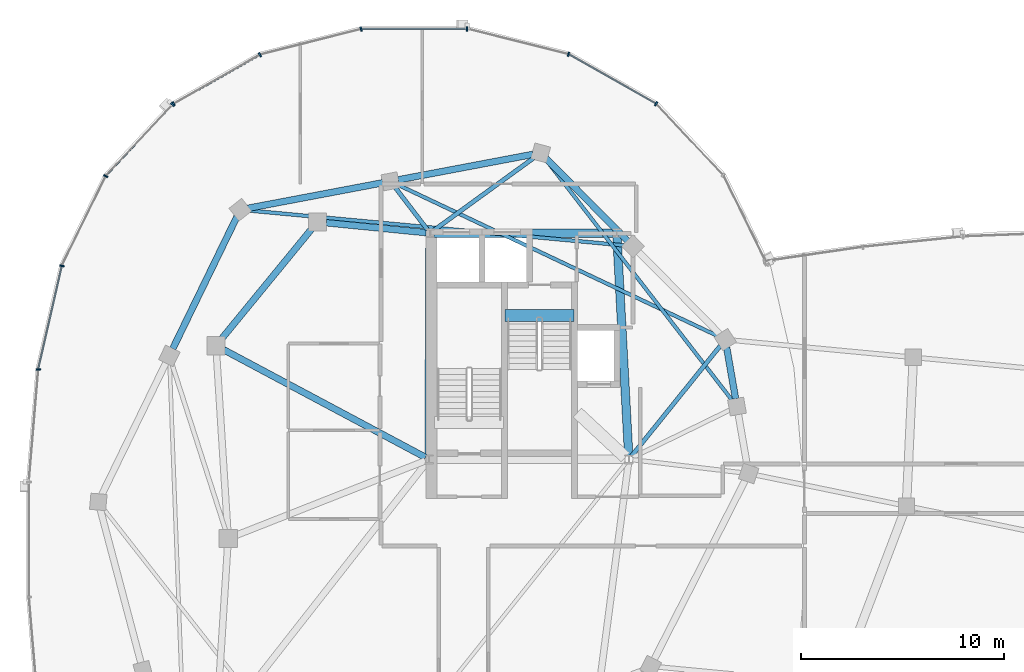
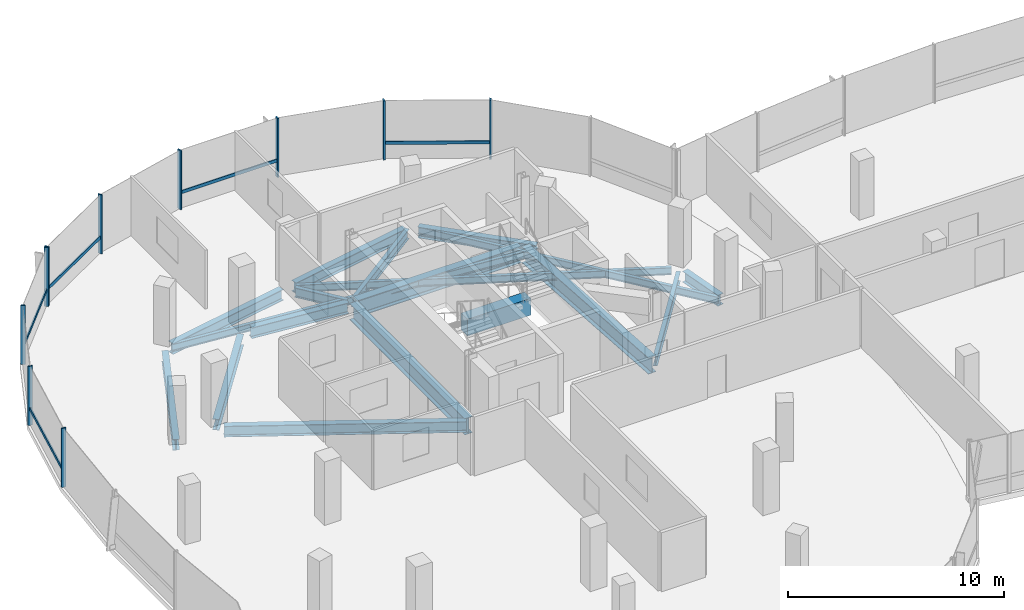
# One storey, part 6 of 25: 18 beams, 15 members, 2 elements without a shape of their own.
"""IFC4 building model written with IfcOpenShell, lengths in metres."""

import ifcopenshell
import ifcopenshell.guid

model = None  # the IFC model being written
_history = None  # IfcOwnerHistory: only IFC2X3 demands one
_inside = {}  # id of a spatial element -> (the spatial element, [elements in it])
_under = {}  # id of a project, library or spatial element -> (it, [spatial elements below it])
_declared = {}  # id of a project -> (the project, [libraries it declares])
_typed = {}  # id of a type object -> (the type object, [elements of that type])
_made_of = {}  # id of a material, layer set ... -> (it, [elements and type objects made of it])


def new_model(schema):
    """Start an empty IFC model of exactly this schema.

    Asked for "IFC4X3", IfcOpenShell would pick the latest addendum, in which some entities
    have other attributes; the version numbers below select the first issue.
    IFC2X3 requires an IfcOwnerHistory on every rooted entity: one is made here for all.
    """
    global model, _history
    if schema == "IFC4X3":
        model = ifcopenshell.file(schema_version=(4, 3, 0, 0))
    else:
        model = ifcopenshell.file(schema=schema)
    _inside.clear()
    _under.clear()
    _declared.clear()
    _typed.clear()
    _made_of.clear()
    _history = None
    if model.schema == "IFC2X3":
        org = make("IfcOrganization", Name="unknown")
        user = make(
            "IfcPersonAndOrganization",
            ThePerson=make("IfcPerson", FamilyName="unknown"),
            TheOrganization=org,
        )
        app = make(
            "IfcApplication",
            ApplicationDeveloper=org,
            Version="unknown",
            ApplicationFullName="unknown",
            ApplicationIdentifier="unknown",
        )
        _history = make(
            "IfcOwnerHistory",
            OwningUser=user,
            OwningApplication=app,
            ChangeAction="ADDED",
            CreationDate=0,
        )
    return model


def make(cls, **values):
    """One entity of the class cls with the attributes given. An attribute that is None is left unset."""
    return model.create_entity(
        cls, **{name: value for name, value in values.items() if value is not None}
    )


def rooted(cls, **values):
    """An entity with a GlobalId (a new one), such as an element, a storey or a relation."""
    return make(cls, GlobalId=ifcopenshell.guid.new(), OwnerHistory=_history, **values)


def si_unit(unit_type, name, prefix=None):
    """IfcSIUnit, for example si_unit("LENGTHUNIT", "METRE", prefix="MILLI")."""
    return make("IfcSIUnit", UnitType=unit_type, Prefix=prefix, Name=name)


def assignment(units):
    """IfcUnitAssignment: the units of a project."""
    return None if units is None else make("IfcUnitAssignment", Units=units)


def point(xyz):
    """IfcCartesianPoint."""
    return None if xyz is None else make("IfcCartesianPoint", Coordinates=xyz)


def direction(xyz):
    """IfcDirection."""
    return None if xyz is None else make("IfcDirection", DirectionRatios=xyz)


def frame(location, z_axis=None, x_axis=None):
    """IfcAxis2Placement3D, a coordinate frame: its origin and axes. An axis left out is left unset."""
    return make(
        "IfcAxis2Placement3D",
        Location=point(location),
        Axis=direction(z_axis),
        RefDirection=direction(x_axis),
    )


def frame_2d(location, x_axis=None):
    """IfcAxis2Placement2D, a coordinate frame in the plane: its origin and x axis."""
    return make(
        "IfcAxis2Placement2D", Location=point(location), RefDirection=direction(x_axis)
    )


def origin():
    """The frame at (0, 0, 0) with its axes left unset."""
    return frame((0.0, 0.0, 0.0))


def origin_2d():
    """The frame at (0, 0) in the plane with its x axis left unset."""
    return frame_2d((0.0, 0.0))


def place(relative_to, where):
    """IfcLocalPlacement: puts the frame where relative to a parent placement (None: the world)."""
    return make(
        "IfcLocalPlacement", PlacementRelTo=relative_to, RelativePlacement=where
    )


def context(
    kind, dimensions, precision=None, world=None, true_north=None, identifier=None
):
    """IfcGeometricRepresentationContext, for example the 3D "Model" context."""
    return make(
        "IfcGeometricRepresentationContext",
        ContextIdentifier=identifier,
        ContextType=kind,
        CoordinateSpaceDimension=dimensions,
        Precision=precision,
        WorldCoordinateSystem=world,
        TrueNorth=true_north,
    )


def subcontext(parent, identifier, kind, view, scale=None):
    """IfcGeometricRepresentationSubContext, for example "Body" below "Model"."""
    return make(
        "IfcGeometricRepresentationSubContext",
        ContextIdentifier=identifier,
        ContextType=kind,
        ParentContext=parent,
        TargetScale=scale,
        TargetView=view,
    )


def project(units=None, contexts=None):
    """IfcProject with its units and contexts."""
    return rooted(
        "IfcProject",
        Name="project",
        RepresentationContexts=contexts,
        UnitsInContext=assignment(units),
    )


def spatial(cls, under=None, at=None, **own):
    """A site, building, storey or space (cls), placed at a placement, below another one or the project."""
    s = rooted(cls, ObjectPlacement=at, **own)
    if under is not None:
        _under.setdefault(under.id(), (under, []))[1].append(s)
    return s


def profile(cls, at=None, kind="AREA", **sizes):
    """A parametric profile (cls). Its sizes go by their IFC names, for example OverallWidth=200.0."""
    return make(cls, ProfileType=kind, Position=at, **sizes)


def rectangle(**sizes):
    """IfcRectangleProfileDef."""
    return profile("IfcRectangleProfileDef", **sizes)


def i_section(**sizes):
    """IfcIShapeProfileDef."""
    return profile("IfcIShapeProfileDef", **sizes)


def extrude(swept, where, along, depth):
    """IfcExtrudedAreaSolid: the profile swept, set in the frame where, extruded along a direction by depth."""
    return make(
        "IfcExtrudedAreaSolid",
        SweptArea=swept,
        Position=where,
        ExtrudedDirection=direction(along),
        Depth=depth,
    )


def shape(context_of_items, identifier, shape_type, items):
    """IfcShapeRepresentation: the items that make up one representation, for example the "Body"."""
    return make(
        "IfcShapeRepresentation",
        ContextOfItems=context_of_items,
        RepresentationIdentifier=identifier,
        RepresentationType=shape_type,
        Items=items,
    )


def material(Name=None, Category=None):
    """IfcMaterial."""
    return make("IfcMaterial", Name=Name, Category=Category)


def material_profile(
    of_material, cross_section, Name=None, Category=None, Priority=None
):
    """IfcMaterialProfile: a cross section and its material."""
    return make(
        "IfcMaterialProfile",
        Name=Name,
        Material=of_material,
        Profile=cross_section,
        Priority=Priority,
        Category=Category,
    )


def profile_set(profiles, Name=None, composite=None):
    """IfcMaterialProfileSet."""
    return make(
        "IfcMaterialProfileSet",
        Name=Name,
        MaterialProfiles=profiles,
        CompositeProfile=composite,
    )


def made_of(thing, what):
    """Note that an element or type object is made of a material, layer set ...; save() writes the relation."""
    if what is not None:
        _made_of.setdefault(what.id(), (what, []))[1].append(thing)
    return thing


def type_object(cls, material=None, **own):
    """A type object (cls), such as IfcWallType, which elements share."""
    return made_of(rooted(cls, **own), material)


def element(
    cls,
    number,
    at=None,
    inside=None,
    cuts=None,
    type_object=None,
    material=None,
    context=None,
    identifier="Body",
    shape_type=None,
    held_by="IfcProductDefinitionShape",
    body=None,
    shapes=None,
    **own,
):
    """One element of the class cls, such as IfcWall. Its Tag is "e" and its number.

    at: its placement. inside: the storey or other place that contains it. cuts: it is an
    opening in that element (IfcRelVoidsElement). A single representation is given by context,
    identifier, shape_type and body (its items); several are given by shapes. held_by: the class
    of the entity that holds the representations. save() writes the other relations.
    """
    e = rooted(cls, Tag="e%d" % number, ObjectPlacement=at, **own)
    if body is not None:
        shapes = [shape(context, identifier, shape_type, body)]
    if shapes is not None:
        e.Representation = make(held_by, Representations=shapes)
    if inside is not None:
        _inside.setdefault(inside.id(), (inside, []))[1].append(e)
    if cuts is not None:
        rooted(
            "IfcRelVoidsElement", RelatingBuildingElement=cuts, RelatedOpeningElement=e
        )
    if type_object is not None:
        _typed.setdefault(type_object.id(), (type_object, []))[1].append(e)
    return made_of(e, material)


def aggregate(whole, parts):
    """IfcRelAggregates: a whole, such as a stair, and the parts it consists of."""
    return rooted("IfcRelAggregates", RelatingObject=whole, RelatedObjects=parts)


def save(model, path):
    """Write the relations noted so far, then the file.

    IfcRelAggregates (storeys below a building ...), IfcRelContainedInSpatialStructure (elements
    in a storey), IfcRelDefinesByType, IfcRelAssociatesMaterial and IfcRelDeclares: one each for
    every whole, place, type object, material and project.
    """
    for whole, parts in _under.values():
        aggregate(whole, parts)
    for where, things in _inside.values():
        rooted(
            "IfcRelContainedInSpatialStructure",
            RelatedElements=things,
            RelatingStructure=where,
        )
    for kind, things in _typed.values():
        rooted("IfcRelDefinesByType", RelatedObjects=things, RelatingType=kind)
    for what, things in _made_of.values():
        rooted("IfcRelAssociatesMaterial", RelatedObjects=things, RelatingMaterial=what)
    for by, libraries in _declared.values():
        rooted("IfcRelDeclares", RelatingContext=by, RelatedDefinitions=libraries)
    model.write(path)


model = new_model("IFC4")

# Units and contexts
model_context = context("Model", 3, precision=1e-05, world=origin(), true_north=direction((0.0, 1.0)))
body_context = subcontext(model_context, "Body", "Model", "MODEL_VIEW")
ifc_project = project(units=[si_unit("LENGTHUNIT", "METRE"), si_unit("AREAUNIT", "SQUARE_METRE"), si_unit("VOLUMEUNIT", "CUBIC_METRE"), si_unit("PLANEANGLEUNIT", "RADIAN"), si_unit("MASSUNIT", "GRAM", prefix="KILO"), si_unit("THERMODYNAMICTEMPERATUREUNIT", "KELVIN"), si_unit("POWERUNIT", "WATT")], contexts=[model_context])

# Site, building, storey
site_placement = place(None, origin())
site = spatial("IfcSite", under=ifc_project, at=site_placement, CompositionType="ELEMENT")
building_placement = place(site_placement, origin())
building = spatial("IfcBuilding", under=site, at=building_placement, Name="Cundina Bronze Exchange", CompositionType="ELEMENT")
storey_placement = place(building_placement, frame((0.0, 0.0, 272.0)))
storey = spatial("IfcBuildingStorey", under=building, at=storey_placement, Name="L72", CompositionType="ELEMENT", Elevation=272.0)

# Beams
ifc_material_1 = material(Name="Concrete C60/75", Category="concrete")
ifc_material_profile_1 = material_profile(ifc_material_1, rectangle(XDim=0.60009765625, YDim=0.949951171875, at=origin_2d()), Name="RC600X950", Category="concrete")
ifc_profile_set_1 = profile_set([ifc_material_profile_1], Name="Concrete C60/75")
beam_type_1 = type_object("IfcBeamType", Name="BM-COUP-RC950", PredefinedType="LINTEL", material=ifc_profile_set_1)
beam_1_placement = place(storey_placement, frame((-27.56005859375, 10.97998046875, -0.47509765625), z_axis=(1.0, 0.0, 0.0), x_axis=(0.0, 1.0, 0.0)))
element("IfcBeam", 1, at=beam_1_placement, inside=storey, type_object=beam_type_1, Name="L72 Stair W2 Landing Header Beam", PredefinedType="LINTEL", context=body_context, shape_type="SweptSolid", body=[
    extrude(rectangle(XDim=0.60009765625, YDim=0.949951171875, at=origin_2d()), origin(), (0.0, 0.0, 1.0), 3.400146484375),
])
ifc_material_2 = material(Name="Steel ASTM A992 Grade 50", Category="steel")
ifc_material_profile_2 = material_profile(ifc_material_2, i_section(OverallWidth=0.2119140625, OverallDepth=0.5439453125, WebThickness=0.01318359375, FlangeThickness=0.021240234375, FilletRadius=0.013916015625, at=origin_2d()), Name="W21X83", Category="steel")
ifc_profile_set_2 = profile_set([ifc_material_profile_2], Name="Steel ASTM A992 Grade 50")
beam_type_2 = type_object("IfcBeamType", Name="BM-FLR-W21A", PredefinedType="BEAM", material=ifc_profile_set_2)
beam_2_placement = place(storey_placement, frame((-21.3271484375, 4.052734375, -0.531982421875), z_axis=(0.627111236784, 0.778929712297, 0.0), x_axis=(-0.778929712297, 0.627111236784, 0.0)))
element("IfcBeam", 2, at=beam_2_placement, inside=storey, type_object=beam_type_2, Name="L72 Leg W Radial Floor Beam 02", PredefinedType="BEAM", context=body_context, shape_type="SweptSolid", body=[
    extrude(i_section(OverallWidth=0.2119140625, OverallDepth=0.5439453125, WebThickness=0.01318359375, FlangeThickness=0.021240234375, FilletRadius=0.013916015625, at=origin_2d()), origin(), (0.0, 0.0, 1.0), 6.990478515625),
])
beam_3_placement = place(storey_placement, frame((-31.09130859375, 15.1650390625, -0.531982421875), z_axis=(0.809701976545, 0.586841298119, 0.0), x_axis=(-0.586841298119, 0.809701976545, 0.0)))
element("IfcBeam", 3, at=beam_3_placement, inside=storey, type_object=beam_type_2, Name="L72 Leg W Radial Floor Beam 04", PredefinedType="BEAM", context=body_context, shape_type="SweptSolid", body=[
    extrude(i_section(OverallWidth=0.2119140625, OverallDepth=0.5439453125, WebThickness=0.01318359375, FlangeThickness=0.021240234375, FilletRadius=0.013916015625, at=origin_2d()), origin(), (0.0, 0.0, 1.0), 6.146728515625),
])
beam_4_placement = place(storey_placement, frame((-31.369140625, 15.205810546875, -0.531982421875), z_axis=(-0.607470812638, 0.794341999263, 0.0), x_axis=(-0.794341999263, -0.607470812638, 0.0)))
element("IfcBeam", 4, at=beam_4_placement, inside=storey, type_object=beam_type_2, Name="L72 Leg W Radial Floor Beam 05", PredefinedType="BEAM", context=body_context, shape_type="SweptSolid", body=[
    extrude(i_section(OverallWidth=0.2119140625, OverallDepth=0.5439453125, WebThickness=0.01318359375, FlangeThickness=0.021240234375, FilletRadius=0.013916015625, at=origin_2d()), origin(), (0.0, 0.0, 1.0), 2.6259765625),
])
ifc_material_profile_3 = material_profile(ifc_material_2, i_section(OverallWidth=0.178955078125, OverallDepth=0.409912109375, WebThickness=0.0087890625, FlangeThickness=0.014404296875, FilletRadius=0.010986328125, at=origin_2d()), Name="W16X45", Category="steel")
ifc_profile_set_3 = profile_set([ifc_material_profile_3], Name="Steel ASTM A992 Grade 50")
beam_type_3 = type_object("IfcBeamType", Name="BM-JST-W16", PredefinedType="JOIST", material=ifc_profile_set_3)
beam_5_placement = place(storey_placement, frame((-16.362548828125, 6.806884765625, -0.465087890625), z_axis=(-0.612077855816, 0.790797507849, 0.0), x_axis=(-0.790797507849, -0.612077855816, 0.0)))
element("IfcBeam", 5, at=beam_5_placement, inside=storey, type_object=beam_type_3, Name="L72 Leg W Lobe Floor Joist 01-04", PredefinedType="JOIST", context=body_context, shape_type="SweptSolid", body=[
    extrude(i_section(OverallWidth=0.178955078125, OverallDepth=0.409912109375, WebThickness=0.0087890625, FlangeThickness=0.014404296875, FilletRadius=0.010986328125, at=origin_2d()), origin(), (0.0, 0.0, 1.0), 15.03076171875),
])
beam_6_placement = place(storey_placement, frame((-17.05078125, 9.9658203125, -0.465087890625), z_axis=(-0.904073247994, 0.427377540661, 0.0), x_axis=(-0.427377540661, -0.904073247994, 0.0)))
element("IfcBeam", 6, at=beam_6_placement, inside=storey, type_object=beam_type_3, Name="L72 Leg W Lobe Floor Joist 02-05", PredefinedType="JOIST", context=body_context, shape_type="SweptSolid", body=[
    extrude(i_section(OverallWidth=0.178955078125, OverallDepth=0.409912109375, WebThickness=0.0087890625, FlangeThickness=0.014404296875, FilletRadius=0.010986328125, at=origin_2d()), origin(), (0.0, 0.0, 1.0), 17.474609375),
])
beam_7_placement = place(storey_placement, frame((-21.63623046875, 14.435791015625, -0.465087890625), z_axis=(-0.995700514338, 0.092630911398, 0.0), x_axis=(-0.092630911398, -0.995700514338, 0.0)))
element("IfcBeam", 7, at=beam_7_placement, inside=storey, type_object=beam_type_3, Name="L72 Leg W Lobe Floor Joist 03-06", PredefinedType="JOIST", context=body_context, shape_type="SweptSolid", body=[
    extrude(i_section(OverallWidth=0.178955078125, OverallDepth=0.409912109375, WebThickness=0.0087890625, FlangeThickness=0.014404296875, FilletRadius=0.010986328125, at=origin_2d()), origin(), (0.0, 0.0, 1.0), 18.65771484375),
])
ifc_material_profile_4 = material_profile(ifc_material_2, i_section(OverallWidth=0.324951171875, OverallDepth=0.615966796875, WebThickness=0.013916015625, FlangeThickness=0.021484375, FilletRadius=0.01611328125, at=origin_2d()), Name="W24X117", Category="steel")
ifc_profile_set_4 = profile_set([ifc_material_profile_4], Name="Steel ASTM A992 Grade 50")
beam_type_4 = type_object("IfcBeamType", Name="BM-RING-W24", PredefinedType="USERDEFINED", material=ifc_profile_set_4)
beam_8_placement = place(storey_placement, frame((-31.445068359375, 15.0693359375, -0.568115234375), z_axis=(-0.995123854478, 0.09863323096, 0.0), x_axis=(-0.09863323096, -0.995123854478, 0.0)))
element("IfcBeam", 8, at=beam_8_placement, inside=storey, type_object=beam_type_4, Name="L72 W Inner Structural Ring Girder 01", ObjectType="GIRDER", PredefinedType="USERDEFINED", context=body_context, shape_type="SweptSolid", body=[
    extrude(i_section(OverallWidth=0.324951171875, OverallDepth=0.615966796875, WebThickness=0.013916015625, FlangeThickness=0.021484375, FilletRadius=0.01611328125, at=origin_2d()), origin(), (0.0, 0.0, 1.0), 4.943115234375),
])
beam_9_placement = place(storey_placement, frame((-37.07763671875, 15.26123046875, -0.568115234375), z_axis=(-0.633912590175, -0.77340469873, 0.0), x_axis=(0.77340469873, -0.633912590175, 0.0)))
element("IfcBeam", 9, at=beam_9_placement, inside=storey, type_object=beam_type_4, Name="L72 W Inner Structural Ring Girder 02", ObjectType="GIRDER", PredefinedType="USERDEFINED", context=body_context, shape_type="SweptSolid", body=[
    extrude(i_section(OverallWidth=0.324951171875, OverallDepth=0.615966796875, WebThickness=0.013916015625, FlangeThickness=0.021484375, FilletRadius=0.01611328125, at=origin_2d()), origin(), (0.0, 0.0, 1.0), 7.01123046875),
])
beam_10_placement = place(storey_placement, frame((-31.472900390625, 3.9921875, -0.568115234375), z_axis=(-0.882350541683, 0.470592734317, 0.0), x_axis=(-0.470592734317, -0.882350541683, 0.0)))
element("IfcBeam", 10, at=beam_10_placement, inside=storey, type_object=beam_type_4, Name="L72 W Core-to-Waist Tie Beam 2", ObjectType="GIRDER", PredefinedType="USERDEFINED", context=body_context, shape_type="SweptSolid", body=[
    extrude(i_section(OverallWidth=0.324951171875, OverallDepth=0.615966796875, WebThickness=0.013916015625, FlangeThickness=0.021484375, FilletRadius=0.01611328125, at=origin_2d()), origin(), (0.0, 0.0, 1.0), 11.26611328125),
])
beam_11_placement = place(storey_placement, frame((-16.191650390625, 6.882080078125, -0.568115234375), z_axis=(-0.171593362587, 0.985167862811, 0.0), x_axis=(-0.985167862811, -0.171593362587, 0.0)))
element("IfcBeam", 11, at=beam_11_placement, inside=storey, type_object=beam_type_4, Name="L72 W Perimeter Ring Girder 01", ObjectType="GIRDER", PredefinedType="USERDEFINED", context=body_context, shape_type="SweptSolid", body=[
    extrude(i_section(OverallWidth=0.324951171875, OverallDepth=0.615966796875, WebThickness=0.013916015625, FlangeThickness=0.021484375, FilletRadius=0.01611328125, at=origin_2d()), origin(), (0.0, 0.0, 1.0), 2.57373046875),
])
beam_12_placement = place(storey_placement, frame((-21.52294921875, 14.67578125, -0.568115234375), z_axis=(-0.703215820204, 0.710976448425, 0.0), x_axis=(-0.710976448425, -0.703215820204, 0.0)))
element("IfcBeam", 12, at=beam_12_placement, inside=storey, type_object=beam_type_4, Name="L72 W Perimeter Ring Girder 03", ObjectType="GIRDER", PredefinedType="USERDEFINED", context=body_context, shape_type="SweptSolid", body=[
    extrude(i_section(OverallWidth=0.324951171875, OverallDepth=0.615966796875, WebThickness=0.013916015625, FlangeThickness=0.021484375, FilletRadius=0.01611328125, at=origin_2d()), origin(), (0.0, 0.0, 1.0), 5.694091796875),
])
beam_13_placement = place(storey_placement, frame((-26.18115234375, 18.927978515625, -0.568115234375), z_axis=(-0.982568104771, -0.185902984072, 0.0), x_axis=(0.185902984072, -0.982568104771, 0.0)))
element("IfcBeam", 13, at=beam_13_placement, inside=storey, type_object=beam_type_4, Name="L72 W Perimeter Ring Girder 04", ObjectType="GIRDER", PredefinedType="USERDEFINED", context=body_context, shape_type="SweptSolid", body=[
    extrude(i_section(OverallWidth=0.324951171875, OverallDepth=0.615966796875, WebThickness=0.013916015625, FlangeThickness=0.021484375, FilletRadius=0.01611328125, at=origin_2d()), origin(), (0.0, 0.0, 1.0), 6.75537109375),
])
beam_14_placement = place(storey_placement, frame((-33.581298828125, 17.52783203125, -0.568115234375), z_axis=(-0.982573456977, -0.185874693392, 0.0), x_axis=(0.185874693392, -0.982573456977, 0.0)))
element("IfcBeam", 14, at=beam_14_placement, inside=storey, type_object=beam_type_4, Name="L72 W Perimeter Ring Girder 05", ObjectType="GIRDER", PredefinedType="USERDEFINED", context=body_context, shape_type="SweptSolid", body=[
    extrude(i_section(OverallWidth=0.324951171875, OverallDepth=0.615966796875, WebThickness=0.013916015625, FlangeThickness=0.021484375, FilletRadius=0.01611328125, at=origin_2d()), origin(), (0.0, 0.0, 1.0), 6.755126953125),
])
beam_15_placement = place(storey_placement, frame((-40.76953125, 15.85107421875, -0.568115234375), z_axis=(-0.437216986791, -0.899356050995, 0.0), x_axis=(0.899356050995, -0.437216986791, 0.0)))
element("IfcBeam", 15, at=beam_15_placement, inside=storey, type_object=beam_type_4, Name="L72 W Perimeter Ring Girder 06", ObjectType="GIRDER", PredefinedType="USERDEFINED", context=body_context, shape_type="SweptSolid", body=[
    extrude(i_section(OverallWidth=0.324951171875, OverallDepth=0.615966796875, WebThickness=0.013916015625, FlangeThickness=0.021484375, FilletRadius=0.01611328125, at=origin_2d()), origin(), (0.0, 0.0, 1.0), 7.2294921875),
])
ifc_material_profile_5 = material_profile(ifc_material_2, i_section(OverallWidth=0.41796875, OverallDepth=0.927001953125, WebThickness=0.019287109375, FlangeThickness=0.031982421875, FilletRadius=0.02392578125, at=origin_2d()), Name="W36X231", Category="steel")
ifc_profile_set_5 = profile_set([ifc_material_profile_5], Name="Steel ASTM A992 Grade 50")
beam_type_5 = type_object("IfcBeamType", Name="BM-WRN-W36B", PredefinedType="USERDEFINED", material=ifc_profile_set_5)
beam_16_placement = place(storey_placement, frame((-21.46044921875, 4.095703125, -0.723388671875), z_axis=(-0.053749317644, 0.998554460634, 0.0), x_axis=(-0.998554460634, -0.053749317644, 0.0)))
element("IfcBeam", 16, at=beam_16_placement, inside=storey, type_object=beam_type_5, Name="L72 W Core Perimeter Tie Girder 2", ObjectType="GIRDER", PredefinedType="USERDEFINED", context=body_context, shape_type="SweptSolid", body=[
    extrude(i_section(OverallWidth=0.41796875, OverallDepth=0.927001953125, WebThickness=0.019287109375, FlangeThickness=0.031982421875, FilletRadius=0.02392578125, at=origin_2d()), origin(), (0.0, 0.0, 1.0), 10.774169921875),
])
beam_17_placement = place(storey_placement, frame((-22.24609375, 15.050048828125, -0.723388671875), z_axis=(-1.0, 0.0, 0.0), x_axis=(0.0, -1.0, 0.0)))
element("IfcBeam", 17, at=beam_17_placement, inside=storey, type_object=beam_type_5, Name="L72 W Core Perimeter Tie Girder 3", ObjectType="GIRDER", PredefinedType="USERDEFINED", context=body_context, shape_type="SweptSolid", body=[
    extrude(i_section(OverallWidth=0.41796875, OverallDepth=0.927001953125, WebThickness=0.019287109375, FlangeThickness=0.031982421875, FilletRadius=0.02392578125, at=origin_2d()), origin(), (0.0, 0.0, 1.0), 8.807861328125),
])
beam_18_placement = place(storey_placement, frame((-31.2509765625, 14.85400390625, -0.723388671875), z_axis=(-0.004470623654, -0.999990006712, 0.0), x_axis=(0.999990006712, -0.004470623654, 0.0)))
element("IfcBeam", 18, at=beam_18_placement, inside=storey, type_object=beam_type_5, Name="L72 W Core Perimeter Tie Girder 4", ObjectType="GIRDER", PredefinedType="USERDEFINED", context=body_context, shape_type="SweptSolid", body=[
    extrude(i_section(OverallWidth=0.41796875, OverallDepth=0.927001953125, WebThickness=0.019287109375, FlangeThickness=0.031982421875, FilletRadius=0.02392578125, at=origin_2d()), origin(), (0.0, 0.0, 1.0), 10.758056640625),
])

# Curtain wall, members
ifc_material_3 = material(Name="Anodised Bronze Aluminium 6063-T6", Category="aluminium")
curtain_wall_type = type_object("IfcCurtainWallType", Name="CWS-SKG-BRG", PredefinedType="NOTDEFINED", material=ifc_material_3)
curtain_wall_1_placement = place(storey_placement, origin())
curtain_wall_1 = element("IfcCurtainWall", 19, at=curtain_wall_1_placement, inside=storey, type_object=curtain_wall_type, Name="L72 CW-06 Curtain Wall Run CWR-L72-W1", PredefinedType="NOTDEFINED")
ifc_material_profile_6 = material_profile(ifc_material_3, rectangle(XDim=0.074951171875, YDim=0.219970703125, at=origin_2d()), Name="AL75X220", Category="aluminium")
ifc_profile_set_6 = profile_set([ifc_material_profile_6], Name="Anodised Bronze Aluminium 6063-T6")
member_type_1 = type_object("IfcMemberType", Name="CWM-MUL-220", PredefinedType="MULLION", material=ifc_profile_set_6)
member_1_placement = place(storey_placement, frame((-20.11083984375, 21.419921875, 0.0), z_axis=(0.0, 0.0, 1.0), x_axis=(-0.86958112538, 0.493790103568, 0.0)))
member_1 = element("IfcMember", 20, at=member_1_placement, type_object=member_type_1, Name="CW-06 Mullion 3", PredefinedType="MULLION", context=body_context, shape_type="SweptSolid", body=[
    extrude(rectangle(XDim=0.074951171875, YDim=0.219970703125, at=origin_2d()), origin(), (0.0, 0.0, 1.0), 3.340087890625),
])
member_2_placement = place(storey_placement, frame((-24.4296875, 23.86181640625, 0.0), z_axis=(0.0, 0.0, 1.0), x_axis=(-0.969744325821, 0.244122802168, 0.0)))
member_2 = element("IfcMember", 21, at=member_2_placement, type_object=member_type_1, Name="CW-06 Mullion 4", PredefinedType="MULLION", context=body_context, shape_type="SweptSolid", body=[
    extrude(rectangle(XDim=0.074951171875, YDim=0.219970703125, at=origin_2d()), origin(), (0.0, 0.0, 1.0), 3.340087890625),
])
member_3_placement = place(storey_placement, frame((-29.423583984375, 25.110107421875, 0.0), z_axis=(0.0, 0.0, 1.0), x_axis=(-1.0, 0.0, 0.0)))
member_3 = element("IfcMember", 22, at=member_3_placement, type_object=member_type_1, Name="CW-06 Mullion 5", PredefinedType="MULLION", context=body_context, shape_type="SweptSolid", body=[
    extrude(rectangle(XDim=0.074951171875, YDim=0.219970703125, at=origin_2d()), origin(), (0.0, 0.0, 1.0), 3.340087890625),
])
member_4_placement = place(storey_placement, frame((-34.648193359375, 25.10107421875, 0.0), z_axis=(0.0, 0.0, 1.0), x_axis=(-0.969744325821, -0.244122802168, 0.0)))
member_4 = element("IfcMember", 23, at=member_4_placement, type_object=member_type_1, Name="CW-06 Mullion 6", PredefinedType="MULLION", context=body_context, shape_type="SweptSolid", body=[
    extrude(rectangle(XDim=0.074951171875, YDim=0.219970703125, at=origin_2d()), origin(), (0.0, 0.0, 1.0), 3.340087890625),
])
member_5_placement = place(storey_placement, frame((-39.634521484375, 23.8359375, 0.0), z_axis=(0.0, 0.0, 1.0), x_axis=(-0.86958112538, -0.493790103568, 0.0)))
member_5 = element("IfcMember", 24, at=member_5_placement, type_object=member_type_1, Name="CW-06 Mullion 7", PredefinedType="MULLION", context=body_context, shape_type="SweptSolid", body=[
    extrude(rectangle(XDim=0.074951171875, YDim=0.219970703125, at=origin_2d()), origin(), (0.0, 0.0, 1.0), 3.340087890625),
])
member_6_placement = place(storey_placement, frame((-43.88916015625, 21.419921875, 0.0), z_axis=(0.0, 0.0, 1.0), x_axis=(-0.86958112538, -0.493790103568, 0.0)))
member_6 = element("IfcMember", 25, at=member_6_placement, type_object=member_type_1, Name="CW-06 End Mullion", PredefinedType="MULLION", context=body_context, shape_type="SweptSolid", body=[
    extrude(rectangle(XDim=0.074951171875, YDim=0.219970703125, at=origin_2d()), origin(), (0.0, 0.0, 1.0), 3.340087890625),
])

curtain_wall_2_placement = place(storey_placement, origin())
curtain_wall_2 = element("IfcCurtainWall", 26, at=curtain_wall_2_placement, inside=storey, type_object=curtain_wall_type, Name="L72 CW-06 Curtain Wall Run CWR-L72-W2", PredefinedType="NOTDEFINED")
member_7_placement = place(storey_placement, frame((-43.940185546875, 21.3798828125, 0.0), z_axis=(0.0, 0.0, 1.0), x_axis=(-0.684292606175, -0.729207535023, 0.0)))
member_7 = element("IfcMember", 27, at=member_7_placement, type_object=member_type_1, Name="CW-06 Mullion 1", PredefinedType="MULLION", context=body_context, shape_type="SweptSolid", body=[
    extrude(rectangle(XDim=0.074951171875, YDim=0.219970703125, at=origin_2d()), origin(), (0.0, 0.0, 1.0), 3.340087890625),
])
member_8_placement = place(storey_placement, frame((-47.2333984375, 17.856689453125, 0.0), z_axis=(0.0, 0.0, 1.0), x_axis=(-0.440566004113, -0.897720221461, 0.0)))
member_8 = element("IfcMember", 28, at=member_8_placement, type_object=member_type_1, Name="CW-06 Mullion 2", PredefinedType="MULLION", context=body_context, shape_type="SweptSolid", body=[
    extrude(rectangle(XDim=0.074951171875, YDim=0.219970703125, at=origin_2d()), origin(), (0.0, 0.0, 1.0), 3.340087890625),
])
member_9_placement = place(storey_placement, frame((-49.39404296875, 13.433837890625, 0.0), z_axis=(0.0, 0.0, 1.0), x_axis=(-0.223250116011, -0.974761194191, 0.0)))
member_9 = element("IfcMember", 29, at=member_9_placement, type_object=member_type_1, Name="CW-06 Mullion 3", PredefinedType="MULLION", context=body_context, shape_type="SweptSolid", body=[
    extrude(rectangle(XDim=0.074951171875, YDim=0.219970703125, at=origin_2d()), origin(), (0.0, 0.0, 1.0), 3.340087890625),
])
member_10_placement = place(storey_placement, frame((-50.557861328125, 8.32568359375, 0.0), z_axis=(0.0, 0.0, 1.0), x_axis=(-0.083677843332, -0.99649285925, 0.0)))
member_10 = element("IfcMember", 30, at=member_10_placement, type_object=member_type_1, Name="CW-06 Mullion 4", PredefinedType="MULLION", context=body_context, shape_type="SweptSolid", body=[
    extrude(rectangle(XDim=0.074951171875, YDim=0.219970703125, at=origin_2d()), origin(), (0.0, 0.0, 1.0), 3.340087890625),
])

# Member
ifc_material_profile_7 = material_profile(ifc_material_3, rectangle(XDim=0.070068359375, YDim=0.179931640625, at=origin_2d()), Name="AL70X180", Category="aluminium")
ifc_profile_set_7 = profile_set([ifc_material_profile_7], Name="Anodised Bronze Aluminium 6063-T6")
member_type_2 = type_object("IfcMemberType", Name="CWM-TRN-180", PredefinedType="USERDEFINED", material=ifc_profile_set_7)
member_11_placement = place(storey_placement, frame((-20.146728515625, 21.440185546875, 0.919921875), z_axis=(-0.869557366176, 0.493831941989, 0.0), x_axis=(-0.493831941989, -0.869557366176, 0.0)))
member_11 = element("IfcMember", 31, at=member_11_placement, type_object=member_type_2, Name="CW-06 Spandrel Transom 3", ObjectType="TRANSOM", PredefinedType="USERDEFINED", context=body_context, shape_type="SweptSolid", body=[
    extrude(rectangle(XDim=0.070068359375, YDim=0.179931640625, at=origin_2d()), origin(), (0.0, 0.0, 1.0), 4.892822265625),
])

member_12_placement = place(storey_placement, frame((-29.464599609375, 25.110107421875, 0.919921875), z_axis=(-1.0, 0.0, 0.0), x_axis=(0.0, -1.0, 0.0)))
member_12 = element("IfcMember", 32, at=member_12_placement, type_object=member_type_2, Name="CW-06 Spandrel Transom 5", ObjectType="TRANSOM", PredefinedType="USERDEFINED", context=body_context, shape_type="SweptSolid", body=[
    extrude(rectangle(XDim=0.070068359375, YDim=0.179931640625, at=origin_2d()), origin(), (0.0, 0.0, 1.0), 5.1533203125),
])

member_13_placement = place(storey_placement, frame((-39.67041015625, 23.815673828125, 0.919921875), z_axis=(-0.869558105282, -0.493830640542, 0.0), x_axis=(0.493830640542, -0.869558105282, 0.0)))
member_13 = element("IfcMember", 33, at=member_13_placement, type_object=member_type_2, Name="CW-06 Spandrel Transom 7", ObjectType="TRANSOM", PredefinedType="USERDEFINED", context=body_context, shape_type="SweptSolid", body=[
    extrude(rectangle(XDim=0.070068359375, YDim=0.179931640625, at=origin_2d()), origin(), (0.0, 0.0, 1.0), 4.810302734375),
])

aggregate(curtain_wall_1, [member_1, member_11, member_2, member_3, member_12, member_4, member_5, member_6, member_13])

member_14_placement = place(storey_placement, frame((-43.968505859375, 21.349609375, 0.919921875), z_axis=(-0.684328474899, -0.729173873944, 0.0), x_axis=(0.729173873944, -0.684328474899, 0.0)))
member_14 = element("IfcMember", 34, at=member_14_placement, type_object=member_type_2, Name="CW-06 Spandrel Transom 1", ObjectType="TRANSOM", PredefinedType="USERDEFINED", context=body_context, shape_type="SweptSolid", body=[
    extrude(rectangle(XDim=0.070068359375, YDim=0.179931640625, at=origin_2d()), origin(), (0.0, 0.0, 1.0), 4.758056640625),
])

member_15_placement = place(storey_placement, frame((-49.4033203125, 13.3935546875, 0.919921875), z_axis=(-0.223257048806, -0.974759606343, 0.0), x_axis=(0.974759606343, -0.223257048806, 0.0)))
member_15 = element("IfcMember", 35, at=member_15_placement, type_object=member_type_2, Name="CW-06 Spandrel Transom 3", ObjectType="TRANSOM", PredefinedType="USERDEFINED", context=body_context, shape_type="SweptSolid", body=[
    extrude(rectangle(XDim=0.070068359375, YDim=0.179931640625, at=origin_2d()), origin(), (0.0, 0.0, 1.0), 5.15283203125),
])

aggregate(curtain_wall_2, [member_7, member_14, member_8, member_9, member_15, member_10])

save(model, "model.ifc")
